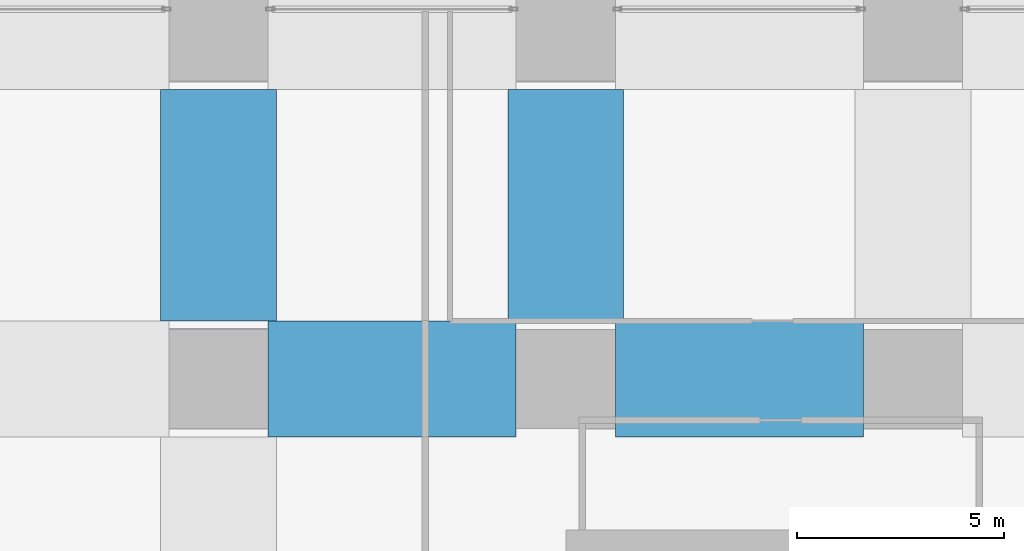
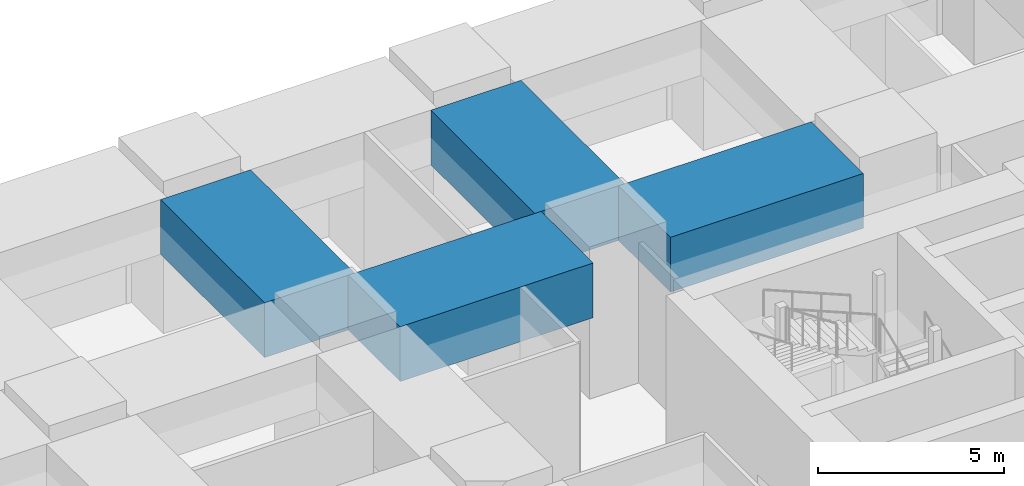
# One storey, part 24 of 52: 4 beams.
"""IFC4 building model written with IfcOpenShell, lengths in metres."""

from ifc_helpers import new_model, si_unit, direction, frame, origin, origin_2d, place, context, subcontext, project, spatial, rectangle, extrude, material, material_profile, profile_set, type_object, element, save


model = new_model("IFC4")

# Units and contexts
model_context = context("Model", 3, precision=1e-05, world=origin(), true_north=direction((0.0, 1.0)))
body_context = subcontext(model_context, "Body", "Model", "MODEL_VIEW")
ifc_project = project(units=[si_unit("LENGTHUNIT", "METRE"), si_unit("AREAUNIT", "SQUARE_METRE"), si_unit("VOLUMEUNIT", "CUBIC_METRE"), si_unit("PLANEANGLEUNIT", "RADIAN"), si_unit("MASSUNIT", "GRAM", prefix="KILO")], contexts=[model_context])

# Site, building, storey
site_placement = place(None, origin())
site = spatial("IfcSite", under=ifc_project, at=site_placement, CompositionType="ELEMENT")
building_placement = place(site_placement, origin())
building = spatial("IfcBuilding", under=site, at=building_placement, Name="Rekha Terrace Tower", CompositionType="ELEMENT")
storey_placement = place(building_placement, frame((0.0, 0.0, 20.39990234375)))
storey = spatial("IfcBuildingStorey", under=building, at=storey_placement, Name="L04", CompositionType="ELEMENT", Elevation=20.39990234375)

# Beams
ifc_material = material(Name="Concrete M70", Category="concrete")
ifc_material_profile = material_profile(ifc_material, rectangle(XDim=2.800048828125, YDim=1.800048828125, at=origin_2d()), Name="RC 2800x1800")
ifc_profile_set = profile_set([ifc_material_profile], Name="Concrete M70")
beam_type = type_object("IfcBeamType", Name="G2 2800x1800 podium roof band beam", PredefinedType="BEAM", material=ifc_profile_set)
beam_1_placement = place(storey_placement, frame((18.0, 50.39990234375, 3.7001953125), z_axis=(1.0, 0.0, 0.0), x_axis=(0.0, 1.0, 0.0)))
element("IfcBeam", 1, at=beam_1_placement, inside=storey, type_object=beam_type, Name="Beam G2 3G-4G under L05", PredefinedType="BEAM", context=body_context, shape_type="SweptSolid", body=[
    extrude(rectangle(XDim=2.800048828125, YDim=1.800048828125, at=origin_2d()), origin(), (0.0, 0.0, 1.0), 6.0),
])
beam_2_placement = place(storey_placement, frame((16.800048828125, 51.800048828125, 3.7001953125), z_axis=(0.0, 1.0, 0.0), x_axis=(-1.0, 0.0, 0.0)))
element("IfcBeam", 2, at=beam_2_placement, inside=storey, type_object=beam_type, Name="Beam G2 3G-3H under L05", PredefinedType="BEAM", context=body_context, shape_type="SweptSolid", body=[
    extrude(rectangle(XDim=2.800048828125, YDim=1.800048828125, at=origin_2d()), origin(), (0.0, 0.0, 1.0), 5.599853515625),
])
beam_3_placement = place(storey_placement, frame((26.39990234375, 50.39990234375, 3.7001953125), z_axis=(1.0, 0.0, 0.0), x_axis=(0.0, 1.0, 0.0)))
element("IfcBeam", 3, at=beam_3_placement, inside=storey, type_object=beam_type, Name="Beam G2 4G-5G under L05", PredefinedType="BEAM", context=body_context, shape_type="SweptSolid", body=[
    extrude(rectangle(XDim=2.800048828125, YDim=1.800048828125, at=origin_2d()), origin(), (0.0, 0.0, 1.0), 6.0),
])
beam_4_placement = place(storey_placement, frame((25.199951171875, 51.800048828125, 3.7001953125), z_axis=(0.0, 1.0, 0.0), x_axis=(-1.0, 0.0, 0.0)))
element("IfcBeam", 4, at=beam_4_placement, inside=storey, type_object=beam_type, Name="Beam G2 4G-4H under L05", PredefinedType="BEAM", context=body_context, shape_type="SweptSolid", body=[
    extrude(rectangle(XDim=2.800048828125, YDim=1.800048828125, at=origin_2d()), origin(), (0.0, 0.0, 1.0), 5.599853515625),
])

save(model, "model.ifc")
